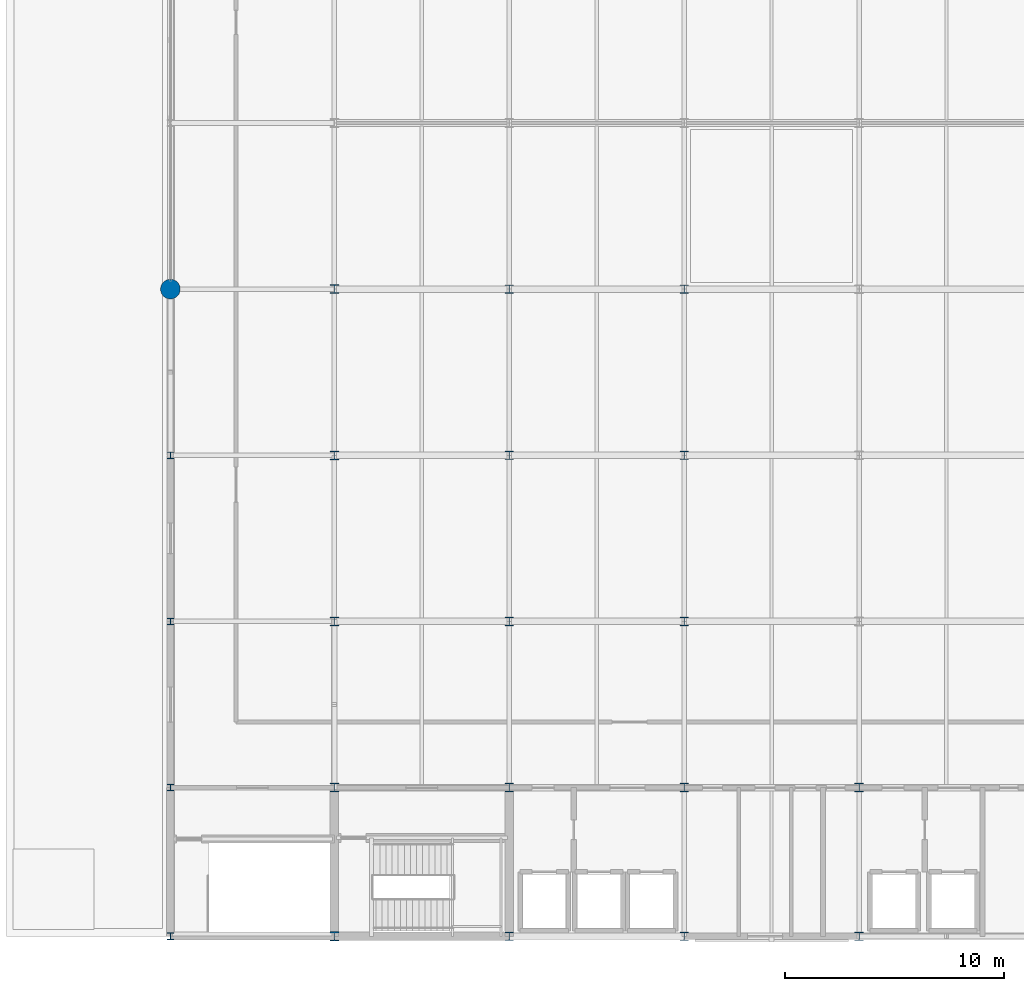
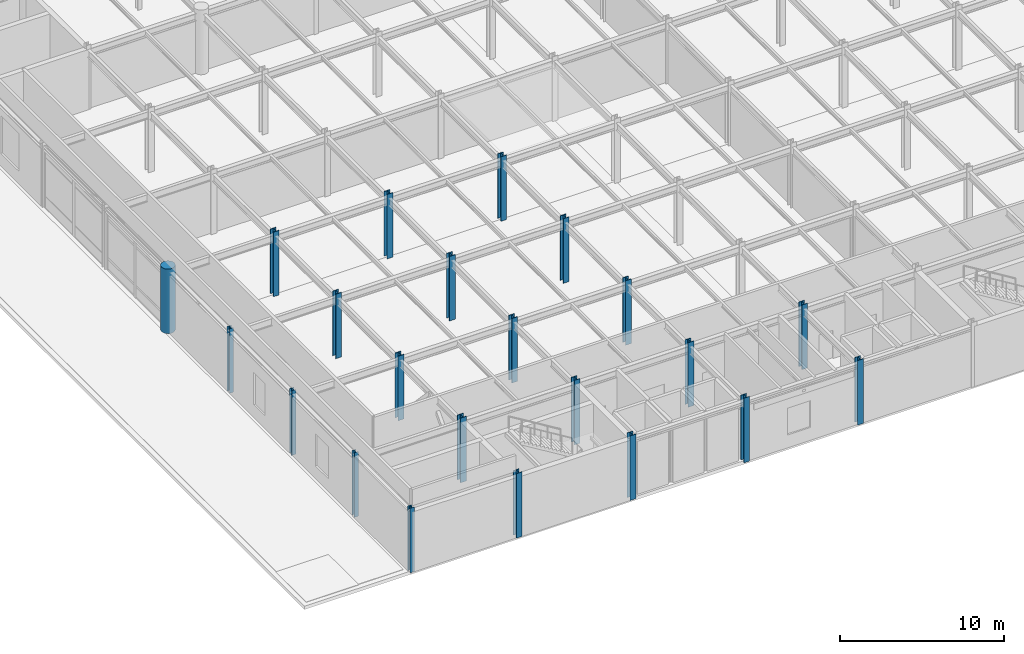
# One storey, part 1 of 43: 22 columns.
"""IFC4 building model written with IfcOpenShell, lengths in metres."""

from ifc_helpers import new_model, si_unit, direction, frame, origin, origin_2d, place, context, subcontext, project, spatial, circle, i_section, extrude, material, material_profile, profile_set, type_object, element, save


model = new_model("IFC4")

# Units and contexts
model_context = context("Model", 3, precision=1e-05, world=origin(), true_north=direction((0.0, 1.0)))
body_context = subcontext(model_context, "Body", "Model", "MODEL_VIEW")
ifc_project = project(units=[si_unit("LENGTHUNIT", "METRE"), si_unit("AREAUNIT", "SQUARE_METRE"), si_unit("VOLUMEUNIT", "CUBIC_METRE"), si_unit("PLANEANGLEUNIT", "RADIAN"), si_unit("MASSUNIT", "GRAM", prefix="KILO")], contexts=[model_context])

# Site, building, storey
site_placement = place(None, origin())
site = spatial("IfcSite", under=ifc_project, at=site_placement, CompositionType="ELEMENT")
building_placement = place(site_placement, origin())
building = spatial("IfcBuilding", under=site, at=building_placement, Name="Shalkamar Park Central Library", CompositionType="ELEMENT")
storey_placement = place(building_placement, frame((0.0, 0.0, 15.60009765625)))
storey = spatial("IfcBuildingStorey", under=building, at=storey_placement, Name="L04", CompositionType="ELEMENT", Elevation=15.60009765625)

# Columns
ifc_material_1 = material(Name="Concrete C40/50", Category="concrete")
ifc_material_profile_1 = material_profile(ifc_material_1, circle(Radius=0.449951171875, at=origin_2d()), Name="RC D900")
ifc_profile_set_1 = profile_set([ifc_material_profile_1], Name="Concrete C40/50")
column_type_1 = type_object("IfcColumnType", Name="Column Concrete RCD900", PredefinedType="COLUMN", material=ifc_profile_set_1)
column_placement = place(storey_placement, frame((157.5, 278.0, 0.0), z_axis=(0.0, 0.0, 1.0), x_axis=(1.0, 0.0, 0.0)))
element("IfcColumn", 1, at=column_placement, inside=storey, type_object=column_type_1, Name="Column 06/F (L04)", PredefinedType="COLUMN", context=body_context, shape_type="SweptSolid", body=[
    extrude(circle(Radius=0.449951171875, at=origin_2d()), origin(), (0.0, 0.0, 1.0), 4.7998046875),
])
ifc_material_2 = material(Name="Steel S355", Category="steel")
ifc_material_profile_2 = material_profile(ifc_material_2, i_section(OverallWidth=0.40087890625, OverallDepth=0.39892578125, WebThickness=0.02490234375, FlangeThickness=0.03955078125, FilletRadius=0.014892578125, at=origin_2d()), Name="HD 400x314")
ifc_profile_set_2 = profile_set([ifc_material_profile_2], Name="Steel S355")
column_type_2 = type_object("IfcColumnType", Name="Column Steel HD400x314", PredefinedType="COLUMN", material=ifc_profile_set_2)
for number, where, z_axis, x_axis, name in (
    (2, (173.0, 248.39990234375, 0.0), (0.0, 0.0, 1.0), (1.0, 0.0, 0.0), "Column 08/B (L04)"),
    (3, (173.0, 255.199951171875, 0.0), (0.0, 0.0, 1.0), (1.0, 0.0, 0.0), "Column 08/C (L04)"),
    (4, (173.0, 262.800048828125, 0.0), (0.0, 0.0, 1.0), (1.0, 0.0, 0.0), "Column 08/D (L04)"),
    (5, (173.0, 270.39990234375, 0.0), (0.0, 0.0, 1.0), (1.0, 0.0, 0.0), "Column 08/E (L04)"),
    (6, (173.0, 278.0, 0.0), (0.0, 0.0, 1.0), (1.0, 0.0, 0.0), "Column 08/F (L04)"),
    (7, (181.0, 248.39990234375, 0.0), (0.0, 0.0, 1.0), (1.0, 0.0, 0.0), "Column 09/B (L04)"),
    (8, (181.0, 255.199951171875, 0.0), (0.0, 0.0, 1.0), (1.0, 0.0, 0.0), "Column 09/C (L04)"),
    (9, (181.0, 262.800048828125, 0.0), (0.0, 0.0, 1.0), (1.0, 0.0, 0.0), "Column 09/D (L04)"),
    (10, (181.0, 270.39990234375, 0.0), (0.0, 0.0, 1.0), (1.0, 0.0, 0.0), "Column 09/E (L04)"),
    (11, (181.0, 278.0, 0.0), (0.0, 0.0, 1.0), (1.0, 0.0, 0.0), "Column 09/F (L04)"),
    (12, (189.0, 248.39990234375, 0.0), (0.0, 0.0, 1.0), (1.0, 0.0, 0.0), "Column 10/B (L04)"),
    (13, (189.0, 255.199951171875, 0.0), (0.0, 0.0, 1.0), (1.0, 0.0, 0.0), "Column 10/C (L04)"),
):
    element("IfcColumn", number, at=place(storey_placement, frame(where, z_axis=z_axis, x_axis=x_axis)), inside=storey, type_object=column_type_2, Name=name, PredefinedType="COLUMN", context=body_context, shape_type="SweptSolid", body=[
        extrude(i_section(OverallWidth=0.40087890625, OverallDepth=0.39892578125, WebThickness=0.02490234375, FlangeThickness=0.03955078125, FilletRadius=0.014892578125, at=origin_2d()), origin(), (0.0, 0.0, 1.0), 4.7998046875),
    ])
ifc_material_profile_3 = material_profile(ifc_material_2, i_section(OverallWidth=0.406005859375, OverallDepth=0.416015625, WebThickness=0.02978515625, FlangeThickness=0.048095703125, FilletRadius=0.014892578125, at=origin_2d()), Name="HD 400x382")
ifc_profile_set_3 = profile_set([ifc_material_profile_3], Name="Steel S355")
column_type_3 = type_object("IfcColumnType", Name="Column Steel HD400x382", PredefinedType="COLUMN", material=ifc_profile_set_3)
for number, where, z_axis, x_axis, name in (
    (14, (165.0, 248.39990234375, 0.0), (0.0, 0.0, 1.0), (1.0, 0.0, 0.0), "Column 07/B (L04)"),
    (15, (165.0, 255.199951171875, 0.0), (0.0, 0.0, 1.0), (1.0, 0.0, 0.0), "Column 07/C (L04)"),
    (16, (165.0, 262.800048828125, 0.0), (0.0, 0.0, 1.0), (1.0, 0.0, 0.0), "Column 07/D (L04)"),
    (17, (165.0, 270.39990234375, 0.0), (0.0, 0.0, 1.0), (1.0, 0.0, 0.0), "Column 07/E (L04)"),
    (18, (165.0, 278.0, 0.0), (0.0, 0.0, 1.0), (1.0, 0.0, 0.0), "Column 07/F (L04)"),
):
    element("IfcColumn", number, at=place(storey_placement, frame(where, z_axis=z_axis, x_axis=x_axis)), inside=storey, type_object=column_type_3, Name=name, PredefinedType="COLUMN", context=body_context, shape_type="SweptSolid", body=[
        extrude(i_section(OverallWidth=0.406005859375, OverallDepth=0.416015625, WebThickness=0.02978515625, FlangeThickness=0.048095703125, FilletRadius=0.014892578125, at=origin_2d()), origin(), (0.0, 0.0, 1.0), 4.7998046875),
    ])
ifc_material_profile_4 = material_profile(ifc_material_2, i_section(OverallWidth=0.300048828125, OverallDepth=0.300048828125, WebThickness=0.010986328125, FlangeThickness=0.01904296875, FilletRadius=0.027099609375, at=origin_2d()), Name="HEB 300")
ifc_profile_set_4 = profile_set([ifc_material_profile_4], Name="Steel S355")
column_type_4 = type_object("IfcColumnType", Name="Column Steel HEB300", PredefinedType="COLUMN", material=ifc_profile_set_4)
for number, where, z_axis, x_axis, name in (
    (19, (157.5, 248.39990234375, 0.0), (0.0, 0.0, 1.0), (1.0, 0.0, 0.0), "Column 06/B (L04)"),
    (20, (157.5, 255.199951171875, 0.0), (0.0, 0.0, 1.0), (1.0, 0.0, 0.0), "Column 06/C (L04)"),
    (21, (157.5, 262.800048828125, 0.0), (0.0, 0.0, 1.0), (1.0, 0.0, 0.0), "Column 06/D (L04)"),
    (22, (157.5, 270.39990234375, 0.0), (0.0, 0.0, 1.0), (1.0, 0.0, 0.0), "Column 06/E (L04)"),
):
    element("IfcColumn", number, at=place(storey_placement, frame(where, z_axis=z_axis, x_axis=x_axis)), inside=storey, type_object=column_type_4, Name=name, PredefinedType="COLUMN", context=body_context, shape_type="SweptSolid", body=[
        extrude(i_section(OverallWidth=0.300048828125, OverallDepth=0.300048828125, WebThickness=0.010986328125, FlangeThickness=0.01904296875, FilletRadius=0.027099609375, at=origin_2d()), origin(), (0.0, 0.0, 1.0), 4.7998046875),
    ])

save(model, "model.ifc")
